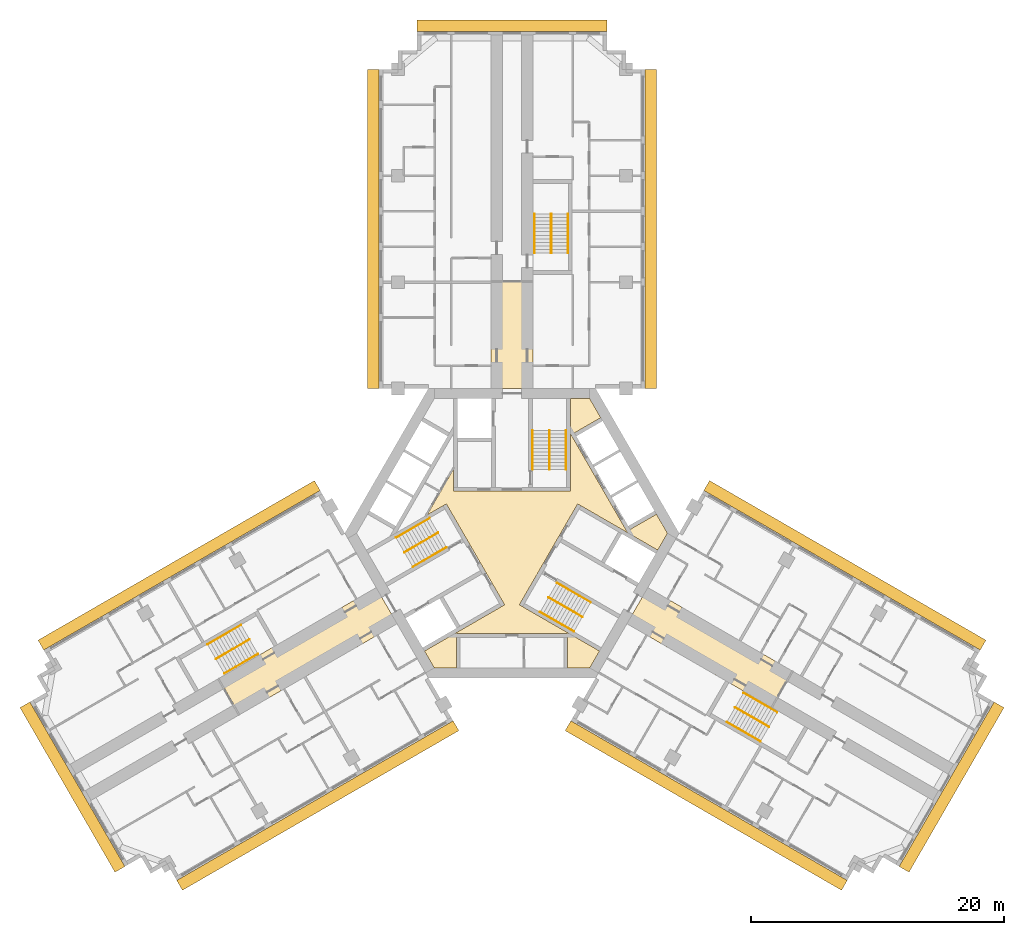
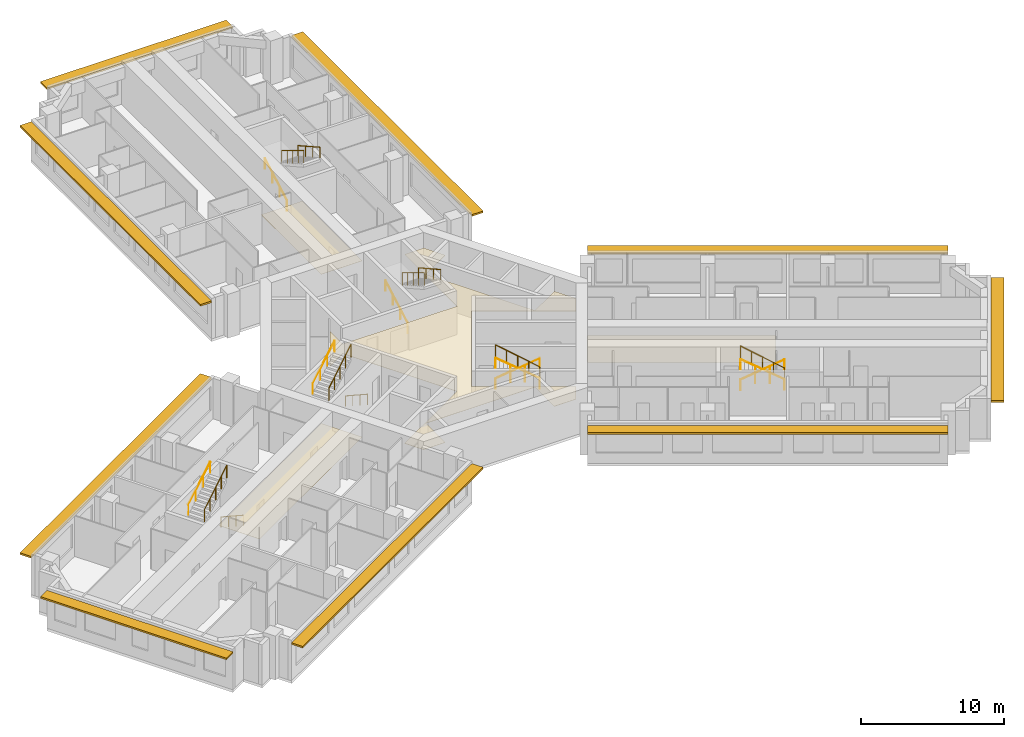
# One storey, part 12 of 12: 18 railings, 4 coverings, 3 shading devices.
"""IFC4 building model written with IfcOpenShell, lengths in metres."""

from ifc_helpers import new_model, si_unit, direction, frame, origin, origin_2d, place, context, subcontext, project, spatial, polyline, rectangle, circle, outline, extrude, material, layer, layer_set, type_object, element, save


model = new_model("IFC4")

# Units and contexts
model_context = context("Model", 3, precision=1e-05, world=origin(), true_north=direction((0.0, 1.0)))
body_context = subcontext(model_context, "Body", "Model", "MODEL_VIEW")
ifc_project = project(units=[si_unit("LENGTHUNIT", "METRE"), si_unit("AREAUNIT", "SQUARE_METRE"), si_unit("VOLUMEUNIT", "CUBIC_METRE"), si_unit("PLANEANGLEUNIT", "RADIAN"), si_unit("MASSUNIT", "GRAM", prefix="KILO")], contexts=[model_context])

# Site, building, storey
site_placement = place(None, origin())
site = spatial("IfcSite", under=ifc_project, at=site_placement, CompositionType="ELEMENT")
building_placement = place(site_placement, origin())
building = spatial("IfcBuilding", under=site, at=building_placement, Name="Impinga Residences", CompositionType="ELEMENT")
storey_placement = place(building_placement, frame((0.0, 0.0, 177.25)))
storey = spatial("IfcBuildingStorey", under=building, at=storey_placement, Name="L44", CompositionType="ELEMENT", Elevation=177.25)

# Coverings
ifc_material_1 = material(Name="Plasterboard 15 mm on steel hangers", Category="steel")
ifc_layer_1 = layer(ifc_material_1, 0.014892578125)
ifc_layer_set_1 = layer_set([ifc_layer_1], Name="Plasterboard 15 mm on steel hangers")
covering_type_1 = type_object("IfcCoveringType", Name="CL1 corridor ceiling, 15 mm plasterboard on hangers", PredefinedType="CEILING", material=ifc_layer_set_1)
covering_1_placement = place(storey_placement, frame((0.0, 0.0, 2.39990234375)))
element("IfcCovering", 1, at=covering_1_placement, inside=storey, type_object=covering_type_1, Name="Corridor ceiling CL1 L44-N00", PredefinedType="CEILING", context=body_context, shape_type="SweptSolid", body=[
    extrude(outline(polyline([(1.64990234375, 11.431640625), (-1.64990234375, 11.431640625), (-1.64990234375, 19.83203125), (1.64990234375, 19.83203125), (1.64990234375, 11.431640625)])), origin(), (0.0, 0.0, 1.0), 0.01513671875),
])
covering_2_placement = place(storey_placement, frame((0.0, 0.0, 2.39990234375)))
element("IfcCovering", 2, at=covering_2_placement, inside=storey, type_object=covering_type_1, Name="Corridor ceiling CL1 L44-W00", PredefinedType="CEILING", context=body_context, shape_type="SweptSolid", body=[
    extrude(outline(polyline([(-9.074951171875, -7.144775390625), (-10.72509765625, -4.286865234375), (-23.15234375, -11.4619140625), (-21.50244140625, -14.31982421875), (-9.074951171875, -7.144775390625)])), origin(), (0.0, 0.0, 1.0), 0.01513671875),
])
covering_3_placement = place(storey_placement, frame((0.0, 0.0, 2.39990234375)))
element("IfcCovering", 3, at=covering_3_placement, inside=storey, type_object=covering_type_1, Name="Corridor ceiling CL1 L44-E00", PredefinedType="CEILING", context=body_context, shape_type="SweptSolid", body=[
    extrude(outline(polyline([(10.72509765625, -4.286865234375), (9.074951171875, -7.144775390625), (20.463134765625, -13.7197265625), (22.11328125, -10.86181640625), (10.72509765625, -4.286865234375)])), origin(), (0.0, 0.0, 1.0), 0.01513671875),
])
ifc_material_2 = material(Name="Mineral fibre tiles 20 mm on exposed grid", Category="mineral fibre")
ifc_layer_2 = layer(ifc_material_2, 0.02001953125)
ifc_layer_set_2 = layer_set([ifc_layer_2], Name="CL2 lift lobby ceiling, 20 mm mineral fibre tiles")
covering_type_2 = type_object("IfcCoveringType", Name="CL2 lift lobby ceiling, 20 mm mineral fibre tiles", PredefinedType="CEILING", material=ifc_layer_set_2)
covering_4_placement = place(storey_placement, frame((0.0, 0.0, 2.39990234375)))
element("IfcCovering", 4, at=covering_4_placement, inside=storey, type_object=covering_type_2, Name="Lift lobby ceiling CL2 L44-C01", PredefinedType="CEILING", context=body_context, shape_type="SweptSolid", body=[
    extrude(outline(polyline([(5.183837890625, 2.318603515625), (0.583984375, -5.648681640625), (6.9072265625, -9.299560546875), (6.13818359375, -10.631591796875), (4.39990234375, -10.631591796875), (4.39990234375, -7.931640625), (-4.39990234375, -7.931640625), (-4.39990234375, -10.631591796875), (-6.13818359375, -10.631591796875), (-6.9072265625, -9.299560546875), (-0.583984375, -5.648681640625), (-5.183837890625, 2.318603515625), (-6.712890625, 1.435791015625), (-4.60009765625, 5.095703125), (-4.60009765625, 3.330078125), (4.60009765625, 3.330078125), (4.60009765625, 10.631591796875), (6.13818359375, 10.631591796875), (7.007080078125, 9.126220703125), (4.6689453125, 7.7763671875), (9.06884765625, 0.1552734375), (11.4072265625, 1.50537109375), (12.276123046875, 0.0), (11.507080078125, -1.33203125), (5.183837890625, 2.318603515625)])), origin(), (0.0, 0.0, 1.0), 0.02001953125),
])

# Railings
ifc_material_3 = material(Name="Steel guard, powder coated", Category="steel")
railing_type_1 = type_object("IfcRailingType", Name="GR1 stair guard 1100", PredefinedType="GUARDRAIL", material=ifc_material_3)
railing_1_placement = place(storey_placement, frame((2.949951171875, 8.110107421875, 1.875)))
element("IfcRailing", 5, at=railing_1_placement, inside=storey, type_object=railing_type_1, Name="Stair guard GR1 ST1 L44", PredefinedType="GUARDRAIL", context=body_context, shape_type="SweptSolid", body=[
    extrude(circle(Radius=0.02392578125, at=origin_2d()), frame((0.0, 0.0, 1.076171875), z_axis=(0.0, -0.854177636135, 0.519981313056), x_axis=(1.0, 0.0, 0.0)), (0.0, 0.0, 1.0), 3.60595703125),
    extrude(circle(Radius=0.02099609375, at=origin_2d()), origin(), (0.0, 0.0, 1.0), 1.052001953125),
    extrude(circle(Radius=0.02099609375, at=origin_2d()), frame((0.0, -0.77001953125, 0.46875)), (0.0, 0.0, 1.0), 1.052001953125),
    extrude(circle(Radius=0.02099609375, at=origin_2d()), frame((0.0, -1.5400390625, 0.9375)), (0.0, 0.0, 1.0), 1.052001953125),
    extrude(circle(Radius=0.02099609375, at=origin_2d()), frame((0.0, -2.31005859375, 1.40625)), (0.0, 0.0, 1.0), 1.052001953125),
    extrude(circle(Radius=0.02099609375, at=origin_2d()), frame((0.0, -3.080078125, 1.875)), (0.0, 0.0, 1.0), 1.052001953125),
])
railing_2_placement = place(storey_placement, frame((-8.49853515625, -1.500244140625, 1.875)))
element("IfcRailing", 6, at=railing_2_placement, inside=storey, type_object=railing_type_1, Name="Stair guard GR1 ST2 L44", PredefinedType="GUARDRAIL", context=body_context, shape_type="SweptSolid", body=[
    extrude(circle(Radius=0.02392578125, at=origin_2d()), frame((0.0, 0.0, 1.076171875), z_axis=(0.739746383972, 0.427084037168, 0.519975492303), x_axis=(-0.499992328818, 0.866029832698, 0.0)), (0.0, 0.0, 1.0), 3.60595703125),
    extrude(circle(Radius=0.02099609375, at=origin_2d()), origin(), (0.0, 0.0, 1.0), 1.052001953125),
    extrude(circle(Radius=0.02099609375, at=origin_2d()), frame((0.6669921875, 0.385009765625, 0.46875)), (0.0, 0.0, 1.0), 1.052001953125),
    extrude(circle(Radius=0.02099609375, at=origin_2d()), frame((1.333740234375, 0.77001953125, 0.9375)), (0.0, 0.0, 1.0), 1.052001953125),
    extrude(circle(Radius=0.02099609375, at=origin_2d()), frame((2.00048828125, 1.155029296875, 1.40625)), (0.0, 0.0, 1.0), 1.052001953125),
    extrude(circle(Radius=0.02099609375, at=origin_2d()), frame((2.66748046875, 1.5400390625, 1.875)), (0.0, 0.0, 1.0), 1.052001953125),
])
railing_3_placement = place(storey_placement, frame((5.548583984375, -6.60986328125, 1.875)))
element("IfcRailing", 7, at=railing_3_placement, inside=storey, type_object=railing_type_1, Name="Stair guard GR1 ST3 L44", PredefinedType="GUARDRAIL", context=body_context, shape_type="SweptSolid", body=[
    extrude(circle(Radius=0.02392578125, at=origin_2d()), frame((0.0, 0.0, 1.076171875), z_axis=(-0.739746383972, 0.427084037168, 0.519975492303), x_axis=(-0.499992328818, -0.866029832698, 0.0)), (0.0, 0.0, 1.0), 3.60595703125),
    extrude(circle(Radius=0.02099609375, at=origin_2d()), origin(), (0.0, 0.0, 1.0), 1.052001953125),
    extrude(circle(Radius=0.02099609375, at=origin_2d()), frame((-0.6669921875, 0.385009765625, 0.46875)), (0.0, 0.0, 1.0), 1.052001953125),
    extrude(circle(Radius=0.02099609375, at=origin_2d()), frame((-1.333740234375, 0.77001953125, 0.9375)), (0.0, 0.0, 1.0), 1.052001953125),
    extrude(circle(Radius=0.02099609375, at=origin_2d()), frame((-2.00048828125, 1.155029296875, 1.40625)), (0.0, 0.0, 1.0), 1.052001953125),
    extrude(circle(Radius=0.02099609375, at=origin_2d()), frame((-2.66748046875, 1.5400390625, 1.875)), (0.0, 0.0, 1.0), 1.052001953125),
])
railing_4_placement = place(storey_placement, frame((3.10009765625, 25.21142578125, 1.875)))
element("IfcRailing", 8, at=railing_4_placement, inside=storey, type_object=railing_type_1, Name="Stair guard GR1 WS1 L44", PredefinedType="GUARDRAIL", context=body_context, shape_type="SweptSolid", body=[
    extrude(circle(Radius=0.02392578125, at=origin_2d()), frame((0.0, 0.0, 1.076171875), z_axis=(0.0, -0.854159328187, 0.520011386482), x_axis=(1.0, 0.0, 0.0)), (0.0, 0.0, 1.0), 3.605712890625),
    extrude(circle(Radius=0.02099609375, at=origin_2d()), origin(), (0.0, 0.0, 1.0), 1.052001953125),
    extrude(circle(Radius=0.02099609375, at=origin_2d()), frame((0.0, -0.77001953125, 0.46875)), (0.0, 0.0, 1.0), 1.052001953125),
    extrude(circle(Radius=0.02099609375, at=origin_2d()), frame((0.0, -1.5400390625, 0.9375)), (0.0, 0.0, 1.0), 1.052001953125),
    extrude(circle(Radius=0.02099609375, at=origin_2d()), frame((0.0, -2.309814453125, 1.40625)), (0.0, 0.0, 1.0), 1.052001953125),
    extrude(circle(Radius=0.02099609375, at=origin_2d()), frame((0.0, -3.079833984375, 1.875)), (0.0, 0.0, 1.0), 1.052001953125),
])
railing_5_placement = place(storey_placement, frame((-23.3837890625, -9.921142578125, 1.875)))
element("IfcRailing", 9, at=railing_5_placement, inside=storey, type_object=railing_type_1, Name="Stair guard GR1 WS2 L44", PredefinedType="GUARDRAIL", context=body_context, shape_type="SweptSolid", body=[
    extrude(circle(Radius=0.02392578125, at=origin_2d()), frame((0.0, 0.0, 1.076171875), z_axis=(0.739715726454, 0.427105428144, 0.52000153585), x_axis=(-0.500026652407, 0.866010015463, 0.0)), (0.0, 0.0, 1.0), 3.605712890625),
    extrude(circle(Radius=0.02099609375, at=origin_2d()), origin(), (0.0, 0.0, 1.0), 1.052001953125),
    extrude(circle(Radius=0.02099609375, at=origin_2d()), frame((0.666748046875, 0.385009765625, 0.46875)), (0.0, 0.0, 1.0), 1.052001953125),
    extrude(circle(Radius=0.02099609375, at=origin_2d()), frame((1.33349609375, 0.77001953125, 0.9375)), (0.0, 0.0, 1.0), 1.052001953125),
    extrude(circle(Radius=0.02099609375, at=origin_2d()), frame((2.00048828125, 1.155029296875, 1.40625)), (0.0, 0.0, 1.0), 1.052001953125),
    extrude(circle(Radius=0.02099609375, at=origin_2d()), frame((2.667236328125, 1.5400390625, 1.875)), (0.0, 0.0, 1.0), 1.052001953125),
])
railing_6_placement = place(storey_placement, frame((20.283935546875, -15.29052734375, 1.875)))
element("IfcRailing", 10, at=railing_6_placement, inside=storey, type_object=railing_type_1, Name="Stair guard GR1 WS3 L44", PredefinedType="GUARDRAIL", context=body_context, shape_type="SweptSolid", body=[
    extrude(circle(Radius=0.02392578125, at=origin_2d()), frame((0.0, 0.0, 1.076171875), z_axis=(-0.739746383972, 0.427084037168, 0.519975492303), x_axis=(-0.499992328818, -0.866029832698, 0.0)), (0.0, 0.0, 1.0), 3.60595703125),
    extrude(circle(Radius=0.02099609375, at=origin_2d()), origin(), (0.0, 0.0, 1.0), 1.052001953125),
    extrude(circle(Radius=0.02099609375, at=origin_2d()), frame((-0.6669921875, 0.385009765625, 0.46875)), (0.0, 0.0, 1.0), 1.052001953125),
    extrude(circle(Radius=0.02099609375, at=origin_2d()), frame((-1.333740234375, 0.77001953125, 0.9375)), (0.0, 0.0, 1.0), 1.052001953125),
    extrude(circle(Radius=0.02099609375, at=origin_2d()), frame((-2.00048828125, 1.155029296875, 1.40625)), (0.0, 0.0, 1.0), 1.052001953125),
    extrude(circle(Radius=0.02099609375, at=origin_2d()), frame((-2.66748046875, 1.5400390625, 1.875)), (0.0, 0.0, 1.0), 1.052001953125),
])
ifc_material_4 = material(Name="Steel handrail tube 42 mm, powder coated", Category="steel")
railing_type_2 = type_object("IfcRailingType", Name="HR1 stair handrail, 42 mm steel tube, 900 above the pitch line", PredefinedType="HANDRAIL", material=ifc_material_4)
railing_7_placement = place(storey_placement, frame((1.62109375, 5.030029296875, 0.15625)))
element("IfcRailing", 11, at=railing_7_placement, inside=storey, type_object=railing_type_2, Name="Stair handrail HR1 ST1 L44", PredefinedType="HANDRAIL", context=body_context, shape_type="SweptSolid", body=[
    extrude(circle(Radius=0.02099609375, at=origin_2d()), frame((0.0, 0.0, 0.87890625), z_axis=(0.0, 0.873241540666, 0.487287606713), x_axis=(-1.0, 0.0, 0.0)), (0.0, 0.0, 1.0), 3.527099609375),
    extrude(circle(Radius=0.012451171875, at=origin_2d()), origin(), (0.0, 0.0, 1.0), 0.85791015625),
    extrude(circle(Radius=0.012451171875, at=origin_2d()), frame((0.0, 1.026611328125, 0.572998046875)), (0.0, 0.0, 1.0), 0.85791015625),
    extrude(circle(Radius=0.012451171875, at=origin_2d()), frame((0.0, 2.053466796875, 1.145751953125)), (0.0, 0.0, 1.0), 0.85791015625),
    extrude(circle(Radius=0.012451171875, at=origin_2d()), frame((0.0, 3.080078125, 1.71875)), (0.0, 0.0, 1.0), 0.85791015625),
])
railing_8_placement = place(storey_placement, frame((4.279052734375, 8.110107421875, 2.03125)))
element("IfcRailing", 12, at=railing_8_placement, inside=storey, type_object=railing_type_2, Name="Stair handrail HR1 ST1 L44", PredefinedType="HANDRAIL", context=body_context, shape_type="SweptSolid", body=[
    extrude(circle(Radius=0.02099609375, at=origin_2d()), frame((0.0, 0.0, 0.87890625), z_axis=(0.0, -0.873241540666, 0.487287606713), x_axis=(1.0, 0.0, 0.0)), (0.0, 0.0, 1.0), 3.527099609375),
    extrude(circle(Radius=0.012451171875, at=origin_2d()), origin(), (0.0, 0.0, 1.0), 0.85791015625),
    extrude(circle(Radius=0.012451171875, at=origin_2d()), frame((0.0, -1.026611328125, 0.572998046875)), (0.0, 0.0, 1.0), 0.85791015625),
    extrude(circle(Radius=0.012451171875, at=origin_2d()), frame((0.0, -2.053466796875, 1.145751953125)), (0.0, 0.0, 1.0), 0.85791015625),
    extrude(circle(Radius=0.012451171875, at=origin_2d()), frame((0.0, -3.080078125, 1.71875)), (0.0, 0.0, 1.0), 0.85791015625),
])
railing_9_placement = place(storey_placement, frame((-5.16650390625, -1.111083984375, 0.15625)))
element("IfcRailing", 13, at=railing_9_placement, inside=storey, type_object=railing_type_2, Name="Stair handrail HR1 ST2 L44", PredefinedType="HANDRAIL", context=body_context, shape_type="SweptSolid", body=[
    extrude(circle(Radius=0.02099609375, at=origin_2d()), frame((0.0, 0.0, 0.87890625), z_axis=(-0.756255980417, -0.436615662133, 0.487281905742), x_axis=(0.499992328818, -0.866029832698, 0.0)), (0.0, 0.0, 1.0), 3.527099609375),
    extrude(circle(Radius=0.012451171875, at=origin_2d()), origin(), (0.0, 0.0, 1.0), 0.85791015625),
    extrude(circle(Radius=0.012451171875, at=origin_2d()), frame((-0.88916015625, -0.513427734375, 0.572998046875)), (0.0, 0.0, 1.0), 0.85791015625),
    extrude(circle(Radius=0.012451171875, at=origin_2d()), frame((-1.7783203125, -1.026611328125, 1.145751953125)), (0.0, 0.0, 1.0), 0.85791015625),
    extrude(circle(Radius=0.012451171875, at=origin_2d()), frame((-2.66748046875, -1.5400390625, 1.71875)), (0.0, 0.0, 1.0), 0.85791015625),
])
railing_10_placement = place(storey_placement, frame((-9.1630859375, -0.349365234375, 2.03125)))
element("IfcRailing", 14, at=railing_10_placement, inside=storey, type_object=railing_type_2, Name="Stair handrail HR1 ST2 L44", PredefinedType="HANDRAIL", context=body_context, shape_type="SweptSolid", body=[
    extrude(circle(Radius=0.02099609375, at=origin_2d()), frame((0.0, 0.0, 0.87890625), z_axis=(0.756255980417, 0.436615662133, 0.487281905742), x_axis=(-0.499992328818, 0.866029832698, 0.0)), (0.0, 0.0, 1.0), 3.527099609375),
    extrude(circle(Radius=0.012451171875, at=origin_2d()), origin(), (0.0, 0.0, 1.0), 0.85791015625),
    extrude(circle(Radius=0.012451171875, at=origin_2d()), frame((0.88916015625, 0.513427734375, 0.572998046875)), (0.0, 0.0, 1.0), 0.85791015625),
    extrude(circle(Radius=0.012451171875, at=origin_2d()), frame((1.7783203125, 1.026611328125, 1.145751953125)), (0.0, 0.0, 1.0), 0.85791015625),
    extrude(circle(Radius=0.012451171875, at=origin_2d()), frame((2.66748046875, 1.5400390625, 1.71875)), (0.0, 0.0, 1.0), 0.85791015625),
])
railing_11_placement = place(storey_placement, frame((3.545654296875, -3.9189453125, 0.15625)))
element("IfcRailing", 15, at=railing_11_placement, inside=storey, type_object=railing_type_2, Name="Stair handrail HR1 ST3 L44", PredefinedType="HANDRAIL", context=body_context, shape_type="SweptSolid", body=[
    extrude(circle(Radius=0.02099609375, at=origin_2d()), frame((0.0, 0.0, 0.87890625), z_axis=(0.756249203677, -0.436582492228, 0.487322141317), x_axis=(0.499967199496, 0.866044340336, 0.0)), (0.0, 0.0, 1.0), 3.52685546875),
    extrude(circle(Radius=0.012451171875, at=origin_2d()), origin(), (0.0, 0.0, 1.0), 0.85791015625),
    extrude(circle(Radius=0.012451171875, at=origin_2d()), frame((0.88916015625, -0.51318359375, 0.572998046875)), (0.0, 0.0, 1.0), 0.85791015625),
    extrude(circle(Radius=0.012451171875, at=origin_2d()), frame((1.778076171875, -1.026611328125, 1.145751953125)), (0.0, 0.0, 1.0), 0.85791015625),
    extrude(circle(Radius=0.012451171875, at=origin_2d()), frame((2.667236328125, -1.539794921875, 1.71875)), (0.0, 0.0, 1.0), 0.85791015625),
])
railing_12_placement = place(storey_placement, frame((4.884033203125, -7.7607421875, 2.03125)))
element("IfcRailing", 16, at=railing_12_placement, inside=storey, type_object=railing_type_2, Name="Stair handrail HR1 ST3 L44", PredefinedType="HANDRAIL", context=body_context, shape_type="SweptSolid", body=[
    extrude(circle(Radius=0.02099609375, at=origin_2d()), frame((0.0, 0.0, 0.87890625), z_axis=(-0.756255980417, 0.436615662133, 0.487281905742), x_axis=(-0.499992328818, -0.866029832698, 0.0)), (0.0, 0.0, 1.0), 3.527099609375),
    extrude(circle(Radius=0.012451171875, at=origin_2d()), origin(), (0.0, 0.0, 1.0), 0.85791015625),
    extrude(circle(Radius=0.012451171875, at=origin_2d()), frame((-0.88916015625, 0.513427734375, 0.572998046875)), (0.0, 0.0, 1.0), 0.85791015625),
    extrude(circle(Radius=0.012451171875, at=origin_2d()), frame((-1.7783203125, 1.026611328125, 1.145751953125)), (0.0, 0.0, 1.0), 0.85791015625),
    extrude(circle(Radius=0.012451171875, at=origin_2d()), frame((-2.66748046875, 1.5400390625, 1.71875)), (0.0, 0.0, 1.0), 0.85791015625),
])
railing_13_placement = place(storey_placement, frame((1.77099609375, 22.131591796875, 0.15625)))
element("IfcRailing", 17, at=railing_13_placement, inside=storey, type_object=railing_type_2, Name="Stair handrail HR1 WS1 L44", PredefinedType="HANDRAIL", context=body_context, shape_type="SweptSolid", body=[
    extrude(circle(Radius=0.02099609375, at=origin_2d()), frame((0.0, 0.0, 0.87890625), z_axis=(0.0, 0.873225103656, 0.487317061414), x_axis=(-1.0, 0.0, 0.0)), (0.0, 0.0, 1.0), 3.52685546875),
    extrude(circle(Radius=0.012451171875, at=origin_2d()), origin(), (0.0, 0.0, 1.0), 0.85791015625),
    extrude(circle(Radius=0.012451171875, at=origin_2d()), frame((0.0, 1.026611328125, 0.572998046875)), (0.0, 0.0, 1.0), 0.85791015625),
    extrude(circle(Radius=0.012451171875, at=origin_2d()), frame((0.0, 2.05322265625, 1.145751953125)), (0.0, 0.0, 1.0), 0.85791015625),
    extrude(circle(Radius=0.012451171875, at=origin_2d()), frame((0.0, 3.079833984375, 1.71875)), (0.0, 0.0, 1.0), 0.85791015625),
])
railing_14_placement = place(storey_placement, frame((4.428955078125, 25.21142578125, 2.03125)))
element("IfcRailing", 18, at=railing_14_placement, inside=storey, type_object=railing_type_2, Name="Stair handrail HR1 WS1 L44", PredefinedType="HANDRAIL", context=body_context, shape_type="SweptSolid", body=[
    extrude(circle(Radius=0.02099609375, at=origin_2d()), frame((0.0, 0.0, 0.87890625), z_axis=(0.0, -0.873225103656, 0.487317061414), x_axis=(1.0, 0.0, 0.0)), (0.0, 0.0, 1.0), 3.52685546875),
    extrude(circle(Radius=0.012451171875, at=origin_2d()), origin(), (0.0, 0.0, 1.0), 0.85791015625),
    extrude(circle(Radius=0.012451171875, at=origin_2d()), frame((0.0, -1.026611328125, 0.572998046875)), (0.0, 0.0, 1.0), 0.85791015625),
    extrude(circle(Radius=0.012451171875, at=origin_2d()), frame((0.0, -2.05322265625, 1.145751953125)), (0.0, 0.0, 1.0), 0.85791015625),
    extrude(circle(Radius=0.012451171875, at=origin_2d()), frame((0.0, -3.079833984375, 1.71875)), (0.0, 0.0, 1.0), 0.85791015625),
])
railing_15_placement = place(storey_placement, frame((-20.052001953125, -9.531982421875, 0.15625)))
element("IfcRailing", 19, at=railing_15_placement, inside=storey, type_object=railing_type_2, Name="Stair handrail HR1 WS2 L44", PredefinedType="HANDRAIL", context=body_context, shape_type="SweptSolid", body=[
    extrude(circle(Radius=0.02099609375, at=origin_2d()), frame((0.0, 0.0, 0.87890625), z_axis=(-0.756226348243, -0.436638517594, 0.487307413422), x_axis=(0.500026652407, -0.866010015463, 0.0)), (0.0, 0.0, 1.0), 3.527099609375),
    extrude(circle(Radius=0.012451171875, at=origin_2d()), origin(), (0.0, 0.0, 1.0), 0.85791015625),
    extrude(circle(Radius=0.012451171875, at=origin_2d()), frame((-0.88916015625, -0.513427734375, 0.572998046875)), (0.0, 0.0, 1.0), 0.85791015625),
    extrude(circle(Radius=0.012451171875, at=origin_2d()), frame((-1.778076171875, -1.026611328125, 1.145751953125)), (0.0, 0.0, 1.0), 0.85791015625),
    extrude(circle(Radius=0.012451171875, at=origin_2d()), frame((-2.667236328125, -1.5400390625, 1.71875)), (0.0, 0.0, 1.0), 0.85791015625),
])
railing_16_placement = place(storey_placement, frame((-24.04833984375, -8.77001953125, 2.03125)))
element("IfcRailing", 20, at=railing_16_placement, inside=storey, type_object=railing_type_2, Name="Stair handrail HR1 WS2 L44", PredefinedType="HANDRAIL", context=body_context, shape_type="SweptSolid", body=[
    extrude(circle(Radius=0.02099609375, at=origin_2d()), frame((0.0, 0.0, 0.87890625), z_axis=(0.756278834354, 0.436559638319, 0.487296631324), x_axis=(-0.499932877268, 0.866064153644, 0.0)), (0.0, 0.0, 1.0), 3.527099609375),
    extrude(circle(Radius=0.012451171875, at=origin_2d()), origin(), (0.0, 0.0, 1.0), 0.85791015625),
    extrude(circle(Radius=0.012451171875, at=origin_2d()), frame((0.88916015625, 0.51318359375, 0.572998046875)), (0.0, 0.0, 1.0), 0.85791015625),
    extrude(circle(Radius=0.012451171875, at=origin_2d()), frame((1.7783203125, 1.026611328125, 1.145751953125)), (0.0, 0.0, 1.0), 0.85791015625),
    extrude(circle(Radius=0.012451171875, at=origin_2d()), frame((2.66748046875, 1.539794921875, 1.71875)), (0.0, 0.0, 1.0), 0.85791015625),
])
railing_17_placement = place(storey_placement, frame((18.281005859375, -12.599609375, 0.15625)))
element("IfcRailing", 21, at=railing_17_placement, inside=storey, type_object=railing_type_2, Name="Stair handrail HR1 WS3 L44", PredefinedType="HANDRAIL", context=body_context, shape_type="SweptSolid", body=[
    extrude(circle(Radius=0.02099609375, at=origin_2d()), frame((0.0, 0.0, 0.87890625), z_axis=(0.756249203677, -0.436582492228, 0.487322141317), x_axis=(0.499967199496, 0.866044340336, 0.0)), (0.0, 0.0, 1.0), 3.52685546875),
    extrude(circle(Radius=0.012451171875, at=origin_2d()), origin(), (0.0, 0.0, 1.0), 0.85791015625),
    extrude(circle(Radius=0.012451171875, at=origin_2d()), frame((0.88916015625, -0.51318359375, 0.572998046875)), (0.0, 0.0, 1.0), 0.85791015625),
    extrude(circle(Radius=0.012451171875, at=origin_2d()), frame((1.778076171875, -1.026611328125, 1.145751953125)), (0.0, 0.0, 1.0), 0.85791015625),
    extrude(circle(Radius=0.012451171875, at=origin_2d()), frame((2.667236328125, -1.539794921875, 1.71875)), (0.0, 0.0, 1.0), 0.85791015625),
])
railing_18_placement = place(storey_placement, frame((19.619384765625, -16.44140625, 2.03125)))
element("IfcRailing", 22, at=railing_18_placement, inside=storey, type_object=railing_type_2, Name="Stair handrail HR1 WS3 L44", PredefinedType="HANDRAIL", context=body_context, shape_type="SweptSolid", body=[
    extrude(circle(Radius=0.02099609375, at=origin_2d()), frame((0.0, 0.0, 0.87890625), z_axis=(-0.756255980417, 0.436615662133, 0.487281905742), x_axis=(-0.499992328818, -0.866029832698, 0.0)), (0.0, 0.0, 1.0), 3.527099609375),
    extrude(circle(Radius=0.012451171875, at=origin_2d()), origin(), (0.0, 0.0, 1.0), 0.85791015625),
    extrude(circle(Radius=0.012451171875, at=origin_2d()), frame((-0.88916015625, 0.513427734375, 0.572998046875)), (0.0, 0.0, 1.0), 0.85791015625),
    extrude(circle(Radius=0.012451171875, at=origin_2d()), frame((-1.7783203125, 1.026611328125, 1.145751953125)), (0.0, 0.0, 1.0), 0.85791015625),
    extrude(circle(Radius=0.012451171875, at=origin_2d()), frame((-2.66748046875, 1.5400390625, 1.71875)), (0.0, 0.0, 1.0), 0.85791015625),
])

# Shading devices
ifc_material_5 = material(Name="Terracotta sunshade blades on aluminium brackets", Category="masonry")
ifc_layer_3 = layer(ifc_material_5, 0.14990234375)
ifc_layer_set_3 = layer_set([ifc_layer_3], Name="SS1 SUNSHADE terracotta sunshade band 900")
shading_device_type = type_object("IfcShadingDeviceType", Name="SS1 SUNSHADE terracotta sunshade band 900", PredefinedType="USERDEFINED", material=ifc_layer_set_3)
shading_device_1_placement = place(storey_placement, frame((-10.949951171875, 24.031494140625, 3.10009765625), z_axis=(0.0, 0.0, 1.0), x_axis=(0.0, 1.0, 0.0)))
element("IfcShadingDevice", 23, at=shading_device_1_placement, inside=storey, type_object=shading_device_type, Name="SUNSHADE band L44 NORTH WING", ObjectType="SUNSHADE", PredefinedType="USERDEFINED", context=body_context, shape_type="SweptSolid", body=[
    extrude(rectangle(XDim=25.199951171875, YDim=0.89990234375, at=origin_2d()), origin(), (0.0, 0.0, 1.0), 0.14990234375),
    extrude(rectangle(XDim=15.0, YDim=0.89990234375, at=origin_2d()), frame((16.050048828125, -10.949951171875, 0.0), z_axis=(0.0, 0.0, 1.0), x_axis=(0.0, -1.0, 0.0)), (0.0, 0.0, 1.0), 0.14990234375),
    extrude(rectangle(XDim=25.199951171875, YDim=0.89990234375, at=origin_2d()), frame((0.0, -21.89990234375, 0.0), z_axis=(0.0, 0.0, 1.0), x_axis=(-1.0, 0.0, 0.0)), (0.0, 0.0, 1.0), 0.14990234375),
])
shading_device_2_placement = place(storey_placement, frame((-34.711669921875, -20.040771484375, 3.10009765625), z_axis=(0.0, 0.0, 1.0), x_axis=(-0.5, 0.866025403784, 0.0)))
element("IfcShadingDevice", 24, at=shading_device_2_placement, inside=storey, type_object=shading_device_type, Name="SUNSHADE band L44 WEST WING", ObjectType="SUNSHADE", PredefinedType="USERDEFINED", context=body_context, shape_type="SweptSolid", body=[
    extrude(rectangle(XDim=15.0, YDim=0.89990234375, at=origin_2d()), origin(), (0.0, 0.0, 1.0), 0.14990234375),
    extrude(rectangle(XDim=25.199951171875, YDim=0.89990234375, at=origin_2d()), frame((10.949951171875, -16.050048828125, 0.0), z_axis=(0.0, 0.0, 1.0), x_axis=(0.0, -1.0, 0.0)), (0.0, 0.0, 1.0), 0.14990234375),
    extrude(rectangle(XDim=25.199951171875, YDim=0.89990234375, at=origin_2d()), frame((-10.949951171875, -16.050048828125, 0.0), z_axis=(0.0, 0.0, 1.0), x_axis=(0.0, 1.0, 0.0)), (0.0, 0.0, 1.0), 0.14990234375),
])
shading_device_3_placement = place(storey_placement, frame((26.286865234375, -2.53271484375, 3.10009765625), z_axis=(0.0, 0.0, 1.0), x_axis=(0.866025403784, -0.5, 0.0)))
element("IfcShadingDevice", 25, at=shading_device_3_placement, inside=storey, type_object=shading_device_type, Name="SUNSHADE band L44 EAST WING", ObjectType="SUNSHADE", PredefinedType="USERDEFINED", context=body_context, shape_type="SweptSolid", body=[
    extrude(rectangle(XDim=25.199951171875, YDim=0.89990234375, at=origin_2d()), origin(), (0.0, 0.0, 1.0), 0.14990234375),
    extrude(rectangle(XDim=15.0, YDim=0.89990234375, at=origin_2d()), frame((16.050048828125, -10.949951171875, 0.0), z_axis=(0.0, 0.0, 1.0), x_axis=(0.0, -1.0, 0.0)), (0.0, 0.0, 1.0), 0.14990234375),
    extrude(rectangle(XDim=25.199951171875, YDim=0.89990234375, at=origin_2d()), frame((0.0, -21.900146484375, 0.0), z_axis=(0.0, 0.0, 1.0), x_axis=(-1.0, 0.0, 0.0)), (0.0, 0.0, 1.0), 0.14990234375),
])

save(model, "model.ifc")
